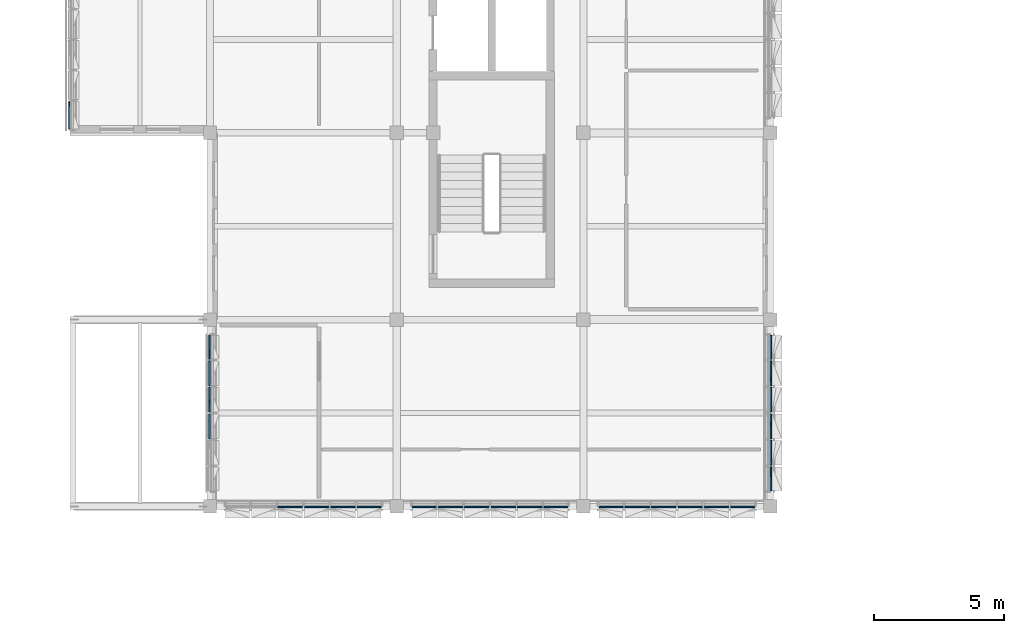
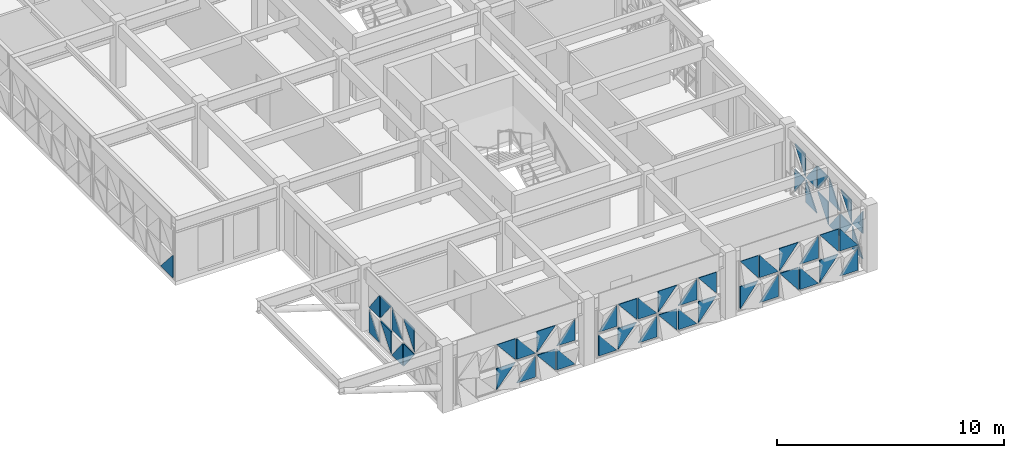
# One storey, part 19 of 48: 53 plates, 6 elements without a shape of their own.
"""IFC4 building model written with IfcOpenShell, lengths in metres."""

import ifcopenshell
import ifcopenshell.guid

model = None  # the IFC model being written
_history = None  # IfcOwnerHistory: only IFC2X3 demands one
_inside = {}  # id of a spatial element -> (the spatial element, [elements in it])
_under = {}  # id of a project, library or spatial element -> (it, [spatial elements below it])
_declared = {}  # id of a project -> (the project, [libraries it declares])
_typed = {}  # id of a type object -> (the type object, [elements of that type])
_made_of = {}  # id of a material, layer set ... -> (it, [elements and type objects made of it])


def new_model(schema):
    """Start an empty IFC model of exactly this schema.

    Asked for "IFC4X3", IfcOpenShell would pick the latest addendum, in which some entities
    have other attributes; the version numbers below select the first issue.
    IFC2X3 requires an IfcOwnerHistory on every rooted entity: one is made here for all.
    """
    global model, _history
    if schema == "IFC4X3":
        model = ifcopenshell.file(schema_version=(4, 3, 0, 0))
    else:
        model = ifcopenshell.file(schema=schema)
    _inside.clear()
    _under.clear()
    _declared.clear()
    _typed.clear()
    _made_of.clear()
    _history = None
    if model.schema == "IFC2X3":
        org = make("IfcOrganization", Name="unknown")
        user = make(
            "IfcPersonAndOrganization",
            ThePerson=make("IfcPerson", FamilyName="unknown"),
            TheOrganization=org,
        )
        app = make(
            "IfcApplication",
            ApplicationDeveloper=org,
            Version="unknown",
            ApplicationFullName="unknown",
            ApplicationIdentifier="unknown",
        )
        _history = make(
            "IfcOwnerHistory",
            OwningUser=user,
            OwningApplication=app,
            ChangeAction="ADDED",
            CreationDate=0,
        )
    return model


def make(cls, **values):
    """One entity of the class cls with the attributes given. An attribute that is None is left unset."""
    return model.create_entity(
        cls, **{name: value for name, value in values.items() if value is not None}
    )


def rooted(cls, **values):
    """An entity with a GlobalId (a new one), such as an element, a storey or a relation."""
    return make(cls, GlobalId=ifcopenshell.guid.new(), OwnerHistory=_history, **values)


def si_unit(unit_type, name, prefix=None):
    """IfcSIUnit, for example si_unit("LENGTHUNIT", "METRE", prefix="MILLI")."""
    return make("IfcSIUnit", UnitType=unit_type, Prefix=prefix, Name=name)


def assignment(units):
    """IfcUnitAssignment: the units of a project."""
    return None if units is None else make("IfcUnitAssignment", Units=units)


def point(xyz):
    """IfcCartesianPoint."""
    return None if xyz is None else make("IfcCartesianPoint", Coordinates=xyz)


def direction(xyz):
    """IfcDirection."""
    return None if xyz is None else make("IfcDirection", DirectionRatios=xyz)


def frame(location, z_axis=None, x_axis=None):
    """IfcAxis2Placement3D, a coordinate frame: its origin and axes. An axis left out is left unset."""
    return make(
        "IfcAxis2Placement3D",
        Location=point(location),
        Axis=direction(z_axis),
        RefDirection=direction(x_axis),
    )


def origin():
    """The frame at (0, 0, 0) with its axes left unset."""
    return frame((0.0, 0.0, 0.0))


def place(relative_to, where):
    """IfcLocalPlacement: puts the frame where relative to a parent placement (None: the world)."""
    return make(
        "IfcLocalPlacement", PlacementRelTo=relative_to, RelativePlacement=where
    )


def context(
    kind, dimensions, precision=None, world=None, true_north=None, identifier=None
):
    """IfcGeometricRepresentationContext, for example the 3D "Model" context."""
    return make(
        "IfcGeometricRepresentationContext",
        ContextIdentifier=identifier,
        ContextType=kind,
        CoordinateSpaceDimension=dimensions,
        Precision=precision,
        WorldCoordinateSystem=world,
        TrueNorth=true_north,
    )


def subcontext(parent, identifier, kind, view, scale=None):
    """IfcGeometricRepresentationSubContext, for example "Body" below "Model"."""
    return make(
        "IfcGeometricRepresentationSubContext",
        ContextIdentifier=identifier,
        ContextType=kind,
        ParentContext=parent,
        TargetScale=scale,
        TargetView=view,
    )


def project(units=None, contexts=None):
    """IfcProject with its units and contexts."""
    return rooted(
        "IfcProject",
        Name="project",
        RepresentationContexts=contexts,
        UnitsInContext=assignment(units),
    )


def spatial(cls, under=None, at=None, **own):
    """A site, building, storey or space (cls), placed at a placement, below another one or the project."""
    s = rooted(cls, ObjectPlacement=at, **own)
    if under is not None:
        _under.setdefault(under.id(), (under, []))[1].append(s)
    return s


def polyline(points):
    """IfcPolyline through the points."""
    return make("IfcPolyline", Points=[point(p) for p in points])


def outline(outer, holes=None, kind="AREA"):
    """IfcArbitraryClosedProfileDef: a profile drawn as a closed curve; with holes, ...WithVoids."""
    if holes is None:
        return make("IfcArbitraryClosedProfileDef", ProfileType=kind, OuterCurve=outer)
    return make(
        "IfcArbitraryProfileDefWithVoids",
        ProfileType=kind,
        OuterCurve=outer,
        InnerCurves=holes,
    )


def extrude(swept, where, along, depth):
    """IfcExtrudedAreaSolid: the profile swept, set in the frame where, extruded along a direction by depth."""
    return make(
        "IfcExtrudedAreaSolid",
        SweptArea=swept,
        Position=where,
        ExtrudedDirection=direction(along),
        Depth=depth,
    )


def shape(context_of_items, identifier, shape_type, items):
    """IfcShapeRepresentation: the items that make up one representation, for example the "Body"."""
    return make(
        "IfcShapeRepresentation",
        ContextOfItems=context_of_items,
        RepresentationIdentifier=identifier,
        RepresentationType=shape_type,
        Items=items,
    )


def material(Name=None, Category=None):
    """IfcMaterial."""
    return make("IfcMaterial", Name=Name, Category=Category)


def layer(
    of_material, thickness, ventilated=None, Name=None, Category=None, Priority=None
):
    """IfcMaterialLayer: one layer of a wall or slab, of a material (None: an air gap)."""
    return make(
        "IfcMaterialLayer",
        Material=of_material,
        LayerThickness=thickness,
        IsVentilated=ventilated,
        Name=Name,
        Category=Category,
        Priority=Priority,
    )


def layer_set(layers, Name=None):
    """IfcMaterialLayerSet."""
    return make("IfcMaterialLayerSet", MaterialLayers=layers, LayerSetName=Name)


def made_of(thing, what):
    """Note that an element or type object is made of a material, layer set ...; save() writes the relation."""
    if what is not None:
        _made_of.setdefault(what.id(), (what, []))[1].append(thing)
    return thing


def type_object(cls, material=None, **own):
    """A type object (cls), such as IfcWallType, which elements share."""
    return made_of(rooted(cls, **own), material)


def element(
    cls,
    number,
    at=None,
    inside=None,
    cuts=None,
    type_object=None,
    material=None,
    context=None,
    identifier="Body",
    shape_type=None,
    held_by="IfcProductDefinitionShape",
    body=None,
    shapes=None,
    **own,
):
    """One element of the class cls, such as IfcWall. Its Tag is "e" and its number.

    at: its placement. inside: the storey or other place that contains it. cuts: it is an
    opening in that element (IfcRelVoidsElement). A single representation is given by context,
    identifier, shape_type and body (its items); several are given by shapes. held_by: the class
    of the entity that holds the representations. save() writes the other relations.
    """
    e = rooted(cls, Tag="e%d" % number, ObjectPlacement=at, **own)
    if body is not None:
        shapes = [shape(context, identifier, shape_type, body)]
    if shapes is not None:
        e.Representation = make(held_by, Representations=shapes)
    if inside is not None:
        _inside.setdefault(inside.id(), (inside, []))[1].append(e)
    if cuts is not None:
        rooted(
            "IfcRelVoidsElement", RelatingBuildingElement=cuts, RelatedOpeningElement=e
        )
    if type_object is not None:
        _typed.setdefault(type_object.id(), (type_object, []))[1].append(e)
    return made_of(e, material)


def aggregate(whole, parts):
    """IfcRelAggregates: a whole, such as a stair, and the parts it consists of."""
    return rooted("IfcRelAggregates", RelatingObject=whole, RelatedObjects=parts)


def save(model, path):
    """Write the relations noted so far, then the file.

    IfcRelAggregates (storeys below a building ...), IfcRelContainedInSpatialStructure (elements
    in a storey), IfcRelDefinesByType, IfcRelAssociatesMaterial and IfcRelDeclares: one each for
    every whole, place, type object, material and project.
    """
    for whole, parts in _under.values():
        aggregate(whole, parts)
    for where, things in _inside.values():
        rooted(
            "IfcRelContainedInSpatialStructure",
            RelatedElements=things,
            RelatingStructure=where,
        )
    for kind, things in _typed.values():
        rooted("IfcRelDefinesByType", RelatedObjects=things, RelatingType=kind)
    for what, things in _made_of.values():
        rooted("IfcRelAssociatesMaterial", RelatedObjects=things, RelatingMaterial=what)
    for by, libraries in _declared.values():
        rooted("IfcRelDeclares", RelatingContext=by, RelatedDefinitions=libraries)
    model.write(path)


model = new_model("IFC4")

# Units and contexts
model_context = context("Model", 3, precision=1e-05, world=origin(), true_north=direction((0.0, 1.0)))
body_context = subcontext(model_context, "Body", "Model", "MODEL_VIEW")
ifc_project = project(units=[si_unit("LENGTHUNIT", "METRE"), si_unit("AREAUNIT", "SQUARE_METRE"), si_unit("VOLUMEUNIT", "CUBIC_METRE"), si_unit("PLANEANGLEUNIT", "RADIAN"), si_unit("MASSUNIT", "GRAM", prefix="KILO")], contexts=[model_context])

# Site, building, storey
site_placement = place(None, origin())
site = spatial("IfcSite", under=ifc_project, at=site_placement, CompositionType="ELEMENT")
building_placement = place(site_placement, origin())
building = spatial("IfcBuilding", under=site, at=building_placement, Name="Alvorim Cloister Faculty of Sciences", CompositionType="ELEMENT")
storey_placement = place(building_placement, frame((0.0, 0.0, 19.35009765625)))
storey = spatial("IfcBuildingStorey", under=building, at=storey_placement, Name="L05", CompositionType="ELEMENT", Elevation=19.35009765625)

# Curtain wall, plates
ifc_material_1 = material(Name="Aluminium and Low-E Glass Curtain Wall", Category="aluminium")
curtain_wall_type_1 = type_object("IfcCurtainWallType", Name="CW-TRI-6120x2850", PredefinedType="USERDEFINED", material=ifc_material_1)
curtain_wall_1_placement = place(storey_placement, origin())
curtain_wall_1 = element("IfcCurtainWall", 1, at=curtain_wall_1_placement, inside=storey, type_object=curtain_wall_type_1, Name="L05 Diagonal Cassette Curtain Wall CW-0213", ObjectType="UNITISED CURTAIN WALL", PredefinedType="USERDEFINED")
ifc_material_2 = material(Name="Double Low-E Laminated Glass", Category="glass")
ifc_layer = layer(ifc_material_2, 0.0400390625)
ifc_layer_set = layer_set([ifc_layer], Name="Double Low-E Laminated Glass")
plate_type = type_object("IfcPlateType", Name="PN-GLZ-40", PredefinedType="CURTAIN_PANEL", material=ifc_layer_set)
plate_1_placement = place(storey_placement, frame((7.175048828125, 9.8125, 0.139892578125), z_axis=(0.0, 0.0, 1.0), x_axis=(0.0, 1.0, 0.0)))
plate_1 = element("IfcPlate", 2, at=plate_1_placement, type_object=plate_type, Name="Diagonal Glazed Triangle TRI-TR", PredefinedType="CURTAIN_PANEL", context=body_context, shape_type="SweptSolid", body=[
    extrude(outline(polyline([(0.955078125, 0.001953125), (0.955078125, 1.215087890625), (0.001953125, 1.215087890625), (0.955078125, 0.001953125)])), frame((0.0, 0.02490234375, 0.0), z_axis=(0.0, -1.0, 0.0), x_axis=(1.0, 0.0, 0.0)), (0.0, 0.0, 1.0), 0.050048828125),
])
plate_2_placement = place(storey_placement, frame((7.175048828125, 9.8125, 1.494873046875), z_axis=(0.0, 0.0, 1.0), x_axis=(0.0, 1.0, 0.0)))
plate_2 = element("IfcPlate", 3, at=plate_2_placement, type_object=plate_type, Name="Diagonal Glazed Triangle TRI-TL", PredefinedType="CURTAIN_PANEL", context=body_context, shape_type="SweptSolid", body=[
    extrude(outline(polyline([(0.953125, 1.215087890625), (0.0, 1.215087890625), (0.0, 0.001953125), (0.953125, 1.215087890625)])), frame((0.0, 0.02490234375, 0.0), z_axis=(0.0, -1.0, 0.0), x_axis=(1.0, 0.0, 0.0)), (0.0, 0.0, 1.0), 0.050048828125),
])
plate_3_placement = place(storey_placement, frame((7.175048828125, 10.83251953125, 0.139892578125), z_axis=(0.0, 0.0, 1.0), x_axis=(0.0, 1.0, 0.0)))
plate_3 = element("IfcPlate", 4, at=plate_3_placement, type_object=plate_type, Name="Diagonal Glazed Triangle TRI-BL", PredefinedType="CURTAIN_PANEL", context=body_context, shape_type="SweptSolid", body=[
    extrude(outline(polyline([(0.0, 0.0), (0.953125, 0.0), (0.0, 1.213134765625), (0.0, 0.0)])), frame((0.0, 0.02490234375, 0.0), z_axis=(0.0, -1.0, 0.0), x_axis=(1.0, 0.0, 0.0)), (0.0, 0.0, 1.0), 0.050048828125),
])
plate_4_placement = place(storey_placement, frame((7.175048828125, 10.83251953125, 1.494873046875), z_axis=(0.0, 0.0, 1.0), x_axis=(0.0, 1.0, 0.0)))
plate_4 = element("IfcPlate", 5, at=plate_4_placement, type_object=plate_type, Name="Diagonal Glazed Triangle TRI-BR", PredefinedType="CURTAIN_PANEL", context=body_context, shape_type="SweptSolid", body=[
    extrude(outline(polyline([(0.001953125, 0.0), (0.955078125, 0.0), (0.955078125, 1.213134765625), (0.001953125, 0.0)])), frame((0.0, 0.02490234375, 0.0), z_axis=(0.0, -1.0, 0.0), x_axis=(1.0, 0.0, 0.0)), (0.0, 0.0, 1.0), 0.050048828125),
])
plate_5_placement = place(storey_placement, frame((7.175048828125, 11.8525390625, 0.139892578125), z_axis=(0.0, 0.0, 1.0), x_axis=(0.0, 1.0, 0.0)))
plate_5 = element("IfcPlate", 6, at=plate_5_placement, type_object=plate_type, Name="Diagonal Glazed Triangle TRI-TL", PredefinedType="CURTAIN_PANEL", context=body_context, shape_type="SweptSolid", body=[
    extrude(outline(polyline([(0.953125, 1.215087890625), (0.0, 1.215087890625), (0.0, 0.001953125), (0.953125, 1.215087890625)])), frame((0.0, 0.02490234375, 0.0), z_axis=(0.0, -1.0, 0.0), x_axis=(1.0, 0.0, 0.0)), (0.0, 0.0, 1.0), 0.050048828125),
])
plate_6_placement = place(storey_placement, frame((7.175048828125, 11.8525390625, 1.494873046875), z_axis=(0.0, 0.0, 1.0), x_axis=(0.0, 1.0, 0.0)))
plate_6 = element("IfcPlate", 7, at=plate_6_placement, type_object=plate_type, Name="Diagonal Glazed Triangle TRI-TR", PredefinedType="CURTAIN_PANEL", context=body_context, shape_type="SweptSolid", body=[
    extrude(outline(polyline([(0.955078125, 0.001953125), (0.955078125, 1.215087890625), (0.001953125, 1.215087890625), (0.955078125, 0.001953125)])), frame((0.0, 0.02490234375, 0.0), z_axis=(0.0, -1.0, 0.0), x_axis=(1.0, 0.0, 0.0)), (0.0, 0.0, 1.0), 0.050048828125),
])
plate_7_placement = place(storey_placement, frame((7.175048828125, 12.87255859375, 0.139892578125), z_axis=(0.0, 0.0, 1.0), x_axis=(0.0, 1.0, 0.0)))
plate_7 = element("IfcPlate", 8, at=plate_7_placement, type_object=plate_type, Name="Diagonal Glazed Triangle TRI-BR", PredefinedType="CURTAIN_PANEL", context=body_context, shape_type="SweptSolid", body=[
    extrude(outline(polyline([(0.001953125, 0.0), (0.922607421875, 0.0), (0.922607421875, 1.213134765625), (0.001953125, 0.0)])), frame((0.0, 0.02490234375, 0.0), z_axis=(0.0, -1.0, 0.0), x_axis=(1.0, 0.0, 0.0)), (0.0, 0.0, 1.0), 0.050048828125),
])
plate_8_placement = place(storey_placement, frame((7.175048828125, 12.87255859375, 1.494873046875), z_axis=(0.0, 0.0, 1.0), x_axis=(0.0, 1.0, 0.0)))
plate_8 = element("IfcPlate", 9, at=plate_8_placement, type_object=plate_type, Name="Diagonal Glazed Triangle TRI-BL", PredefinedType="CURTAIN_PANEL", context=body_context, shape_type="SweptSolid", body=[
    extrude(outline(polyline([(0.0, 0.0), (0.920654296875, 0.0), (0.0, 1.213134765625), (0.0, 0.0)])), frame((0.0, 0.02490234375, 0.0), z_axis=(0.0, -1.0, 0.0), x_axis=(1.0, 0.0, 0.0)), (0.0, 0.0, 1.0), 0.050048828125),
])
aggregate(curtain_wall_1, [plate_1, plate_2, plate_3, plate_4, plate_5, plate_6, plate_7, plate_8])

# Curtain wall, plate
curtain_wall_type_2 = type_object("IfcCurtainWallType", Name="CW-TRI-7040x2857", PredefinedType="USERDEFINED", material=ifc_material_1)
curtain_wall_2_placement = place(storey_placement, origin())
curtain_wall_2 = element("IfcCurtainWall", 10, at=curtain_wall_2_placement, inside=storey, type_object=curtain_wall_type_2, Name="L05 Diagonal Cassette Curtain Wall CW-0214", ObjectType="UNITISED CURTAIN WALL", PredefinedType="USERDEFINED")
plate_9_placement = place(storey_placement, frame((1.77490234375, 21.7451171875, 0.139892578125), z_axis=(0.0, 0.0, 1.0), x_axis=(0.0, 1.0, 0.0)))
plate_9 = element("IfcPlate", 11, at=plate_9_placement, type_object=plate_type, Name="Diagonal Glazed Triangle TRI-BL", PredefinedType="CURTAIN_PANEL", context=body_context, shape_type="SweptSolid", body=[
    extrude(outline(polyline([(0.0, 0.0), (1.073974609375, 0.0), (0.0, 1.216552734375), (0.0, 0.0)])), frame((0.0, 0.02490234375, 0.0), z_axis=(0.0, -1.0, 0.0), x_axis=(1.0, 0.0, 0.0)), (0.0, 0.0, 1.0), 0.050048828125),
])
aggregate(curtain_wall_2, [plate_9])

# Curtain wall, plates
curtain_wall_3_placement = place(storey_placement, origin())
curtain_wall_3 = element("IfcCurtainWall", 12, at=curtain_wall_3_placement, inside=storey, type_object=curtain_wall_type_1, Name="L05 Diagonal Cassette Curtain Wall CW-0236", ObjectType="UNITISED CURTAIN WALL", PredefinedType="USERDEFINED")
plate_10_placement = place(storey_placement, frame((28.824951171875, 7.804931640625, 0.139892578125), z_axis=(0.0, 0.0, 1.0), x_axis=(0.0, 1.0, 0.0)))
plate_10 = element("IfcPlate", 13, at=plate_10_placement, type_object=plate_type, Name="Diagonal Glazed Triangle TRI-BR", PredefinedType="CURTAIN_PANEL", context=body_context, shape_type="SweptSolid", body=[
    extrude(outline(polyline([(0.001953125, 0.0), (0.922607421875, 0.0), (0.922607421875, 1.213134765625), (0.001953125, 0.0)])), frame((0.0, 0.02490234375, 0.0), z_axis=(0.0, -1.0, 0.0), x_axis=(1.0, 0.0, 0.0)), (0.0, 0.0, 1.0), 0.050048828125),
])
plate_11_placement = place(storey_placement, frame((28.824951171875, 7.804931640625, 1.494873046875), z_axis=(0.0, 0.0, 1.0), x_axis=(0.0, 1.0, 0.0)))
plate_11 = element("IfcPlate", 14, at=plate_11_placement, type_object=plate_type, Name="Diagonal Glazed Triangle TRI-BL", PredefinedType="CURTAIN_PANEL", context=body_context, shape_type="SweptSolid", body=[
    extrude(outline(polyline([(0.0, 0.0), (0.920654296875, 0.0), (0.0, 1.213134765625), (0.0, 0.0)])), frame((0.0, 0.02490234375, 0.0), z_axis=(0.0, -1.0, 0.0), x_axis=(1.0, 0.0, 0.0)), (0.0, 0.0, 1.0), 0.050048828125),
])
plate_12_placement = place(storey_placement, frame((28.824951171875, 8.79248046875, 0.139892578125), z_axis=(0.0, 0.0, 1.0), x_axis=(0.0, 1.0, 0.0)))
plate_12 = element("IfcPlate", 15, at=plate_12_placement, type_object=plate_type, Name="Diagonal Glazed Triangle TRI-TR", PredefinedType="CURTAIN_PANEL", context=body_context, shape_type="SweptSolid", body=[
    extrude(outline(polyline([(0.955078125, 0.001953125), (0.955078125, 1.215087890625), (0.001953125, 1.215087890625), (0.955078125, 0.001953125)])), frame((0.0, 0.02490234375, 0.0), z_axis=(0.0, -1.0, 0.0), x_axis=(1.0, 0.0, 0.0)), (0.0, 0.0, 1.0), 0.050048828125),
])
plate_13_placement = place(storey_placement, frame((28.824951171875, 8.79248046875, 1.494873046875), z_axis=(0.0, 0.0, 1.0), x_axis=(0.0, 1.0, 0.0)))
plate_13 = element("IfcPlate", 16, at=plate_13_placement, type_object=plate_type, Name="Diagonal Glazed Triangle TRI-TL", PredefinedType="CURTAIN_PANEL", context=body_context, shape_type="SweptSolid", body=[
    extrude(outline(polyline([(0.953125, 1.215087890625), (0.0, 1.215087890625), (0.0, 0.001953125), (0.953125, 1.215087890625)])), frame((0.0, 0.02490234375, 0.0), z_axis=(0.0, -1.0, 0.0), x_axis=(1.0, 0.0, 0.0)), (0.0, 0.0, 1.0), 0.050048828125),
])
plate_14_placement = place(storey_placement, frame((28.824951171875, 9.8125, 0.139892578125), z_axis=(0.0, 0.0, 1.0), x_axis=(0.0, 1.0, 0.0)))
plate_14 = element("IfcPlate", 17, at=plate_14_placement, type_object=plate_type, Name="Diagonal Glazed Triangle TRI-BL", PredefinedType="CURTAIN_PANEL", context=body_context, shape_type="SweptSolid", body=[
    extrude(outline(polyline([(0.0, 0.0), (0.953125, 0.0), (0.0, 1.213134765625), (0.0, 0.0)])), frame((0.0, 0.02490234375, 0.0), z_axis=(0.0, -1.0, 0.0), x_axis=(1.0, 0.0, 0.0)), (0.0, 0.0, 1.0), 0.050048828125),
])
plate_15_placement = place(storey_placement, frame((28.824951171875, 9.8125, 1.494873046875), z_axis=(0.0, 0.0, 1.0), x_axis=(0.0, 1.0, 0.0)))
plate_15 = element("IfcPlate", 18, at=plate_15_placement, type_object=plate_type, Name="Diagonal Glazed Triangle TRI-BR", PredefinedType="CURTAIN_PANEL", context=body_context, shape_type="SweptSolid", body=[
    extrude(outline(polyline([(0.001953125, 0.0), (0.955078125, 0.0), (0.955078125, 1.213134765625), (0.001953125, 0.0)])), frame((0.0, 0.02490234375, 0.0), z_axis=(0.0, -1.0, 0.0), x_axis=(1.0, 0.0, 0.0)), (0.0, 0.0, 1.0), 0.050048828125),
])
plate_16_placement = place(storey_placement, frame((28.824951171875, 10.83251953125, 0.139892578125), z_axis=(0.0, 0.0, 1.0), x_axis=(0.0, 1.0, 0.0)))
plate_16 = element("IfcPlate", 19, at=plate_16_placement, type_object=plate_type, Name="Diagonal Glazed Triangle TRI-TL", PredefinedType="CURTAIN_PANEL", context=body_context, shape_type="SweptSolid", body=[
    extrude(outline(polyline([(0.953125, 1.215087890625), (0.0, 1.215087890625), (0.0, 0.001953125), (0.953125, 1.215087890625)])), frame((0.0, 0.02490234375, 0.0), z_axis=(0.0, -1.0, 0.0), x_axis=(1.0, 0.0, 0.0)), (0.0, 0.0, 1.0), 0.050048828125),
])
plate_17_placement = place(storey_placement, frame((28.824951171875, 10.83251953125, 1.494873046875), z_axis=(0.0, 0.0, 1.0), x_axis=(0.0, 1.0, 0.0)))
plate_17 = element("IfcPlate", 20, at=plate_17_placement, type_object=plate_type, Name="Diagonal Glazed Triangle TRI-TR", PredefinedType="CURTAIN_PANEL", context=body_context, shape_type="SweptSolid", body=[
    extrude(outline(polyline([(0.955078125, 0.001953125), (0.955078125, 1.215087890625), (0.001953125, 1.215087890625), (0.955078125, 0.001953125)])), frame((0.0, 0.02490234375, 0.0), z_axis=(0.0, -1.0, 0.0), x_axis=(1.0, 0.0, 0.0)), (0.0, 0.0, 1.0), 0.050048828125),
])
plate_18_placement = place(storey_placement, frame((28.824951171875, 11.8525390625, 0.139892578125), z_axis=(0.0, 0.0, 1.0), x_axis=(0.0, 1.0, 0.0)))
plate_18 = element("IfcPlate", 21, at=plate_18_placement, type_object=plate_type, Name="Diagonal Glazed Triangle TRI-BR", PredefinedType="CURTAIN_PANEL", context=body_context, shape_type="SweptSolid", body=[
    extrude(outline(polyline([(0.001953125, 0.0), (0.955078125, 0.0), (0.955078125, 1.213134765625), (0.001953125, 0.0)])), frame((0.0, 0.02490234375, 0.0), z_axis=(0.0, -1.0, 0.0), x_axis=(1.0, 0.0, 0.0)), (0.0, 0.0, 1.0), 0.050048828125),
])
plate_19_placement = place(storey_placement, frame((28.824951171875, 11.8525390625, 1.494873046875), z_axis=(0.0, 0.0, 1.0), x_axis=(0.0, 1.0, 0.0)))
plate_19 = element("IfcPlate", 22, at=plate_19_placement, type_object=plate_type, Name="Diagonal Glazed Triangle TRI-BL", PredefinedType="CURTAIN_PANEL", context=body_context, shape_type="SweptSolid", body=[
    extrude(outline(polyline([(0.0, 0.0), (0.953125, 0.0), (0.0, 1.213134765625), (0.0, 0.0)])), frame((0.0, 0.02490234375, 0.0), z_axis=(0.0, -1.0, 0.0), x_axis=(1.0, 0.0, 0.0)), (0.0, 0.0, 1.0), 0.050048828125),
])
plate_20_placement = place(storey_placement, frame((28.824951171875, 12.87255859375, 0.139892578125), z_axis=(0.0, 0.0, 1.0), x_axis=(0.0, 1.0, 0.0)))
plate_20 = element("IfcPlate", 23, at=plate_20_placement, type_object=plate_type, Name="Diagonal Glazed Triangle TRI-TR", PredefinedType="CURTAIN_PANEL", context=body_context, shape_type="SweptSolid", body=[
    extrude(outline(polyline([(0.922607421875, 0.001953125), (0.922607421875, 1.215087890625), (0.001953125, 1.215087890625), (0.922607421875, 0.001953125)])), frame((0.0, 0.02490234375, 0.0), z_axis=(0.0, -1.0, 0.0), x_axis=(1.0, 0.0, 0.0)), (0.0, 0.0, 1.0), 0.050048828125),
])
plate_21_placement = place(storey_placement, frame((28.824951171875, 12.87255859375, 1.494873046875), z_axis=(0.0, 0.0, 1.0), x_axis=(0.0, 1.0, 0.0)))
plate_21 = element("IfcPlate", 24, at=plate_21_placement, type_object=plate_type, Name="Diagonal Glazed Triangle TRI-TL", PredefinedType="CURTAIN_PANEL", context=body_context, shape_type="SweptSolid", body=[
    extrude(outline(polyline([(0.920654296875, 1.215087890625), (0.0, 1.215087890625), (0.0, 0.001953125), (0.920654296875, 1.215087890625)])), frame((0.0, 0.02490234375, 0.0), z_axis=(0.0, -1.0, 0.0), x_axis=(1.0, 0.0, 0.0)), (0.0, 0.0, 1.0), 0.050048828125),
])
aggregate(curtain_wall_3, [plate_10, plate_11, plate_12, plate_13, plate_14, plate_15, plate_16, plate_17, plate_18, plate_19, plate_20, plate_21])

curtain_wall_4_placement = place(storey_placement, origin())
curtain_wall_4 = element("IfcCurtainWall", 25, at=curtain_wall_4_placement, inside=storey, type_object=curtain_wall_type_1, Name="L05 Diagonal Cassette Curtain Wall CW-0237", ObjectType="UNITISED CURTAIN WALL", PredefinedType="USERDEFINED")
plate_22_placement = place(storey_placement, frame((22.205078125, 7.175048828125, 0.139892578125), z_axis=(0.0, 0.0, 1.0), x_axis=(1.0, 0.0, 0.0)))
plate_22 = element("IfcPlate", 26, at=plate_22_placement, type_object=plate_type, Name="Diagonal Glazed Triangle TRI-TL", PredefinedType="CURTAIN_PANEL", context=body_context, shape_type="SweptSolid", body=[
    extrude(outline(polyline([(0.920654296875, 1.215087890625), (0.0, 1.215087890625), (0.0, 0.001953125), (0.920654296875, 1.215087890625)])), frame((0.0, 0.02490234375, 0.0), z_axis=(0.0, -1.0, 0.0), x_axis=(1.0, 0.0, 0.0)), (0.0, 0.0, 1.0), 0.050048828125),
])
plate_23_placement = place(storey_placement, frame((22.205078125, 7.175048828125, 1.494873046875), z_axis=(0.0, 0.0, 1.0), x_axis=(1.0, 0.0, 0.0)))
plate_23 = element("IfcPlate", 27, at=plate_23_placement, type_object=plate_type, Name="Diagonal Glazed Triangle TRI-TR", PredefinedType="CURTAIN_PANEL", context=body_context, shape_type="SweptSolid", body=[
    extrude(outline(polyline([(0.922607421875, 0.001953125), (0.922607421875, 1.215087890625), (0.001953125, 1.215087890625), (0.922607421875, 0.001953125)])), frame((0.0, 0.02490234375, 0.0), z_axis=(0.0, -1.0, 0.0), x_axis=(1.0, 0.0, 0.0)), (0.0, 0.0, 1.0), 0.050048828125),
])
plate_24_placement = place(storey_placement, frame((23.1923828125, 7.175048828125, 0.139892578125), z_axis=(0.0, 0.0, 1.0), x_axis=(1.0, 0.0, 0.0)))
plate_24 = element("IfcPlate", 28, at=plate_24_placement, type_object=plate_type, Name="Diagonal Glazed Triangle TRI-BR", PredefinedType="CURTAIN_PANEL", context=body_context, shape_type="SweptSolid", body=[
    extrude(outline(polyline([(0.001953125, 0.0), (0.955078125, 0.0), (0.955078125, 1.213134765625), (0.001953125, 0.0)])), frame((0.0, 0.02490234375, 0.0), z_axis=(0.0, -1.0, 0.0), x_axis=(1.0, 0.0, 0.0)), (0.0, 0.0, 1.0), 0.050048828125),
])
plate_25_placement = place(storey_placement, frame((23.1923828125, 7.175048828125, 1.494873046875), z_axis=(0.0, 0.0, 1.0), x_axis=(1.0, 0.0, 0.0)))
plate_25 = element("IfcPlate", 29, at=plate_25_placement, type_object=plate_type, Name="Diagonal Glazed Triangle TRI-BL", PredefinedType="CURTAIN_PANEL", context=body_context, shape_type="SweptSolid", body=[
    extrude(outline(polyline([(0.0, 0.0), (0.953125, 0.0), (0.0, 1.213134765625), (0.0, 0.0)])), frame((0.0, 0.02490234375, 0.0), z_axis=(0.0, -1.0, 0.0), x_axis=(1.0, 0.0, 0.0)), (0.0, 0.0, 1.0), 0.050048828125),
])
plate_26_placement = place(storey_placement, frame((24.21240234375, 7.175048828125, 0.139892578125), z_axis=(0.0, 0.0, 1.0), x_axis=(1.0, 0.0, 0.0)))
plate_26 = element("IfcPlate", 30, at=plate_26_placement, type_object=plate_type, Name="Diagonal Glazed Triangle TRI-TR", PredefinedType="CURTAIN_PANEL", context=body_context, shape_type="SweptSolid", body=[
    extrude(outline(polyline([(0.955078125, 0.001953125), (0.955078125, 1.215087890625), (0.001953125, 1.215087890625), (0.955078125, 0.001953125)])), frame((0.0, 0.02490234375, 0.0), z_axis=(0.0, -1.0, 0.0), x_axis=(1.0, 0.0, 0.0)), (0.0, 0.0, 1.0), 0.050048828125),
])
plate_27_placement = place(storey_placement, frame((24.21240234375, 7.175048828125, 1.494873046875), z_axis=(0.0, 0.0, 1.0), x_axis=(1.0, 0.0, 0.0)))
plate_27 = element("IfcPlate", 31, at=plate_27_placement, type_object=plate_type, Name="Diagonal Glazed Triangle TRI-TL", PredefinedType="CURTAIN_PANEL", context=body_context, shape_type="SweptSolid", body=[
    extrude(outline(polyline([(0.953125, 1.215087890625), (0.0, 1.215087890625), (0.0, 0.001953125), (0.953125, 1.215087890625)])), frame((0.0, 0.02490234375, 0.0), z_axis=(0.0, -1.0, 0.0), x_axis=(1.0, 0.0, 0.0)), (0.0, 0.0, 1.0), 0.050048828125),
])
plate_28_placement = place(storey_placement, frame((25.232421875, 7.175048828125, 0.139892578125), z_axis=(0.0, 0.0, 1.0), x_axis=(1.0, 0.0, 0.0)))
plate_28 = element("IfcPlate", 32, at=plate_28_placement, type_object=plate_type, Name="Diagonal Glazed Triangle TRI-BL", PredefinedType="CURTAIN_PANEL", context=body_context, shape_type="SweptSolid", body=[
    extrude(outline(polyline([(0.0, 0.0), (0.953125, 0.0), (0.0, 1.213134765625), (0.0, 0.0)])), frame((0.0, 0.02490234375, 0.0), z_axis=(0.0, -1.0, 0.0), x_axis=(1.0, 0.0, 0.0)), (0.0, 0.0, 1.0), 0.050048828125),
])
plate_29_placement = place(storey_placement, frame((25.232421875, 7.175048828125, 1.494873046875), z_axis=(0.0, 0.0, 1.0), x_axis=(1.0, 0.0, 0.0)))
plate_29 = element("IfcPlate", 33, at=plate_29_placement, type_object=plate_type, Name="Diagonal Glazed Triangle TRI-BR", PredefinedType="CURTAIN_PANEL", context=body_context, shape_type="SweptSolid", body=[
    extrude(outline(polyline([(0.001953125, 0.0), (0.955078125, 0.0), (0.955078125, 1.213134765625), (0.001953125, 0.0)])), frame((0.0, 0.02490234375, 0.0), z_axis=(0.0, -1.0, 0.0), x_axis=(1.0, 0.0, 0.0)), (0.0, 0.0, 1.0), 0.050048828125),
])
plate_30_placement = place(storey_placement, frame((26.25244140625, 7.175048828125, 0.139892578125), z_axis=(0.0, 0.0, 1.0), x_axis=(1.0, 0.0, 0.0)))
plate_30 = element("IfcPlate", 34, at=plate_30_placement, type_object=plate_type, Name="Diagonal Glazed Triangle TRI-TL", PredefinedType="CURTAIN_PANEL", context=body_context, shape_type="SweptSolid", body=[
    extrude(outline(polyline([(0.953125, 1.215087890625), (0.0, 1.215087890625), (0.0, 0.001953125), (0.953125, 1.215087890625)])), frame((0.0, 0.02490234375, 0.0), z_axis=(0.0, -1.0, 0.0), x_axis=(1.0, 0.0, 0.0)), (0.0, 0.0, 1.0), 0.050048828125),
])
plate_31_placement = place(storey_placement, frame((26.25244140625, 7.175048828125, 1.494873046875), z_axis=(0.0, 0.0, 1.0), x_axis=(1.0, 0.0, 0.0)))
plate_31 = element("IfcPlate", 35, at=plate_31_placement, type_object=plate_type, Name="Diagonal Glazed Triangle TRI-TR", PredefinedType="CURTAIN_PANEL", context=body_context, shape_type="SweptSolid", body=[
    extrude(outline(polyline([(0.955078125, 0.001953125), (0.955078125, 1.215087890625), (0.001953125, 1.215087890625), (0.955078125, 0.001953125)])), frame((0.0, 0.02490234375, 0.0), z_axis=(0.0, -1.0, 0.0), x_axis=(1.0, 0.0, 0.0)), (0.0, 0.0, 1.0), 0.050048828125),
])
plate_32_placement = place(storey_placement, frame((27.2724609375, 7.175048828125, 0.139892578125), z_axis=(0.0, 0.0, 1.0), x_axis=(1.0, 0.0, 0.0)))
plate_32 = element("IfcPlate", 36, at=plate_32_placement, type_object=plate_type, Name="Diagonal Glazed Triangle TRI-BR", PredefinedType="CURTAIN_PANEL", context=body_context, shape_type="SweptSolid", body=[
    extrude(outline(polyline([(0.001953125, 0.0), (0.922607421875, 0.0), (0.922607421875, 1.213134765625), (0.001953125, 0.0)])), frame((0.0, 0.02490234375, 0.0), z_axis=(0.0, -1.0, 0.0), x_axis=(1.0, 0.0, 0.0)), (0.0, 0.0, 1.0), 0.050048828125),
])
plate_33_placement = place(storey_placement, frame((27.2724609375, 7.175048828125, 1.494873046875), z_axis=(0.0, 0.0, 1.0), x_axis=(1.0, 0.0, 0.0)))
plate_33 = element("IfcPlate", 37, at=plate_33_placement, type_object=plate_type, Name="Diagonal Glazed Triangle TRI-BL", PredefinedType="CURTAIN_PANEL", context=body_context, shape_type="SweptSolid", body=[
    extrude(outline(polyline([(0.0, 0.0), (0.920654296875, 0.0), (0.0, 1.213134765625), (0.0, 0.0)])), frame((0.0, 0.02490234375, 0.0), z_axis=(0.0, -1.0, 0.0), x_axis=(1.0, 0.0, 0.0)), (0.0, 0.0, 1.0), 0.050048828125),
])
aggregate(curtain_wall_4, [plate_22, plate_23, plate_24, plate_25, plate_26, plate_27, plate_28, plate_29, plate_30, plate_31, plate_32, plate_33])

curtain_wall_type_3 = type_object("IfcCurtainWallType", Name="CW-TRI-6120x2706", PredefinedType="USERDEFINED", material=ifc_material_1)
curtain_wall_5_placement = place(storey_placement, origin())
curtain_wall_5 = element("IfcCurtainWall", 38, at=curtain_wall_5_placement, inside=storey, type_object=curtain_wall_type_3, Name="L05 Diagonal Cassette Curtain Wall CW-0238", ObjectType="UNITISED CURTAIN WALL", PredefinedType="USERDEFINED")
plate_34_placement = place(storey_placement, frame((15.0048828125, 7.175048828125, 0.139892578125), z_axis=(0.0, 0.0, 1.0), x_axis=(1.0, 0.0, 0.0)))
plate_34 = element("IfcPlate", 39, at=plate_34_placement, type_object=plate_type, Name="Diagonal Glazed Triangle TRI-BL", PredefinedType="CURTAIN_PANEL", context=body_context, shape_type="SweptSolid", body=[
    extrude(outline(polyline([(0.0, 0.0), (0.920654296875, 0.0), (0.0, 1.14111328125), (0.0, 0.0)])), frame((0.0, 0.02490234375, 0.0), z_axis=(0.0, -1.0, 0.0), x_axis=(1.0, 0.0, 0.0)), (0.0, 0.0, 1.0), 0.050048828125),
])
plate_35_placement = place(storey_placement, frame((15.0048828125, 7.175048828125, 1.4228515625), z_axis=(0.0, 0.0, 1.0), x_axis=(1.0, 0.0, 0.0)))
plate_35 = element("IfcPlate", 40, at=plate_35_placement, type_object=plate_type, Name="Diagonal Glazed Triangle TRI-BR", PredefinedType="CURTAIN_PANEL", context=body_context, shape_type="SweptSolid", body=[
    extrude(outline(polyline([(0.001953125, 0.0), (0.922607421875, 0.0), (0.922607421875, 1.14111328125), (0.001953125, 0.0)])), frame((0.0, 0.02490234375, 0.0), z_axis=(0.0, -1.0, 0.0), x_axis=(1.0, 0.0, 0.0)), (0.0, 0.0, 1.0), 0.050048828125),
])
plate_36_placement = place(storey_placement, frame((15.992431640625, 7.175048828125, 0.139892578125), z_axis=(0.0, 0.0, 1.0), x_axis=(1.0, 0.0, 0.0)))
plate_36 = element("IfcPlate", 41, at=plate_36_placement, type_object=plate_type, Name="Diagonal Glazed Triangle TRI-TL", PredefinedType="CURTAIN_PANEL", context=body_context, shape_type="SweptSolid", body=[
    extrude(outline(polyline([(0.953125, 1.14306640625), (0.0, 1.14306640625), (0.0, 0.001953125), (0.953125, 1.14306640625)])), frame((0.0, 0.02490234375, 0.0), z_axis=(0.0, -1.0, 0.0), x_axis=(1.0, 0.0, 0.0)), (0.0, 0.0, 1.0), 0.050048828125),
])
plate_37_placement = place(storey_placement, frame((15.992431640625, 7.175048828125, 1.4228515625), z_axis=(0.0, 0.0, 1.0), x_axis=(1.0, 0.0, 0.0)))
plate_37 = element("IfcPlate", 42, at=plate_37_placement, type_object=plate_type, Name="Diagonal Glazed Triangle TRI-TR", PredefinedType="CURTAIN_PANEL", context=body_context, shape_type="SweptSolid", body=[
    extrude(outline(polyline([(0.955078125, 0.001953125), (0.955078125, 1.14306640625), (0.001953125, 1.14306640625), (0.955078125, 0.001953125)])), frame((0.0, 0.02490234375, 0.0), z_axis=(0.0, -1.0, 0.0), x_axis=(1.0, 0.0, 0.0)), (0.0, 0.0, 1.0), 0.050048828125),
])
plate_38_placement = place(storey_placement, frame((17.012451171875, 7.175048828125, 0.139892578125), z_axis=(0.0, 0.0, 1.0), x_axis=(1.0, 0.0, 0.0)))
plate_38 = element("IfcPlate", 43, at=plate_38_placement, type_object=plate_type, Name="Diagonal Glazed Triangle TRI-BR", PredefinedType="CURTAIN_PANEL", context=body_context, shape_type="SweptSolid", body=[
    extrude(outline(polyline([(0.001953125, 0.0), (0.955078125, 0.0), (0.955078125, 1.14111328125), (0.001953125, 0.0)])), frame((0.0, 0.02490234375, 0.0), z_axis=(0.0, -1.0, 0.0), x_axis=(1.0, 0.0, 0.0)), (0.0, 0.0, 1.0), 0.050048828125),
])
plate_39_placement = place(storey_placement, frame((17.012451171875, 7.175048828125, 1.4228515625), z_axis=(0.0, 0.0, 1.0), x_axis=(1.0, 0.0, 0.0)))
plate_39 = element("IfcPlate", 44, at=plate_39_placement, type_object=plate_type, Name="Diagonal Glazed Triangle TRI-BL", PredefinedType="CURTAIN_PANEL", context=body_context, shape_type="SweptSolid", body=[
    extrude(outline(polyline([(0.0, 0.0), (0.953125, 0.0), (0.0, 1.14111328125), (0.0, 0.0)])), frame((0.0, 0.02490234375, 0.0), z_axis=(0.0, -1.0, 0.0), x_axis=(1.0, 0.0, 0.0)), (0.0, 0.0, 1.0), 0.050048828125),
])
plate_40_placement = place(storey_placement, frame((18.032470703125, 7.175048828125, 0.139892578125), z_axis=(0.0, 0.0, 1.0), x_axis=(1.0, 0.0, 0.0)))
plate_40 = element("IfcPlate", 45, at=plate_40_placement, type_object=plate_type, Name="Diagonal Glazed Triangle TRI-TR", PredefinedType="CURTAIN_PANEL", context=body_context, shape_type="SweptSolid", body=[
    extrude(outline(polyline([(0.955078125, 0.001953125), (0.955078125, 1.14306640625), (0.001953125, 1.14306640625), (0.955078125, 0.001953125)])), frame((0.0, 0.02490234375, 0.0), z_axis=(0.0, -1.0, 0.0), x_axis=(1.0, 0.0, 0.0)), (0.0, 0.0, 1.0), 0.050048828125),
])
plate_41_placement = place(storey_placement, frame((18.032470703125, 7.175048828125, 1.4228515625), z_axis=(0.0, 0.0, 1.0), x_axis=(1.0, 0.0, 0.0)))
plate_41 = element("IfcPlate", 46, at=plate_41_placement, type_object=plate_type, Name="Diagonal Glazed Triangle TRI-TL", PredefinedType="CURTAIN_PANEL", context=body_context, shape_type="SweptSolid", body=[
    extrude(outline(polyline([(0.953125, 1.14306640625), (0.0, 1.14306640625), (0.0, 0.001953125), (0.953125, 1.14306640625)])), frame((0.0, 0.02490234375, 0.0), z_axis=(0.0, -1.0, 0.0), x_axis=(1.0, 0.0, 0.0)), (0.0, 0.0, 1.0), 0.050048828125),
])
plate_42_placement = place(storey_placement, frame((19.052490234375, 7.175048828125, 0.139892578125), z_axis=(0.0, 0.0, 1.0), x_axis=(1.0, 0.0, 0.0)))
plate_42 = element("IfcPlate", 47, at=plate_42_placement, type_object=plate_type, Name="Diagonal Glazed Triangle TRI-BL", PredefinedType="CURTAIN_PANEL", context=body_context, shape_type="SweptSolid", body=[
    extrude(outline(polyline([(0.0, 0.0), (0.953125, 0.0), (0.0, 1.14111328125), (0.0, 0.0)])), frame((0.0, 0.02490234375, 0.0), z_axis=(0.0, -1.0, 0.0), x_axis=(1.0, 0.0, 0.0)), (0.0, 0.0, 1.0), 0.050048828125),
])
plate_43_placement = place(storey_placement, frame((19.052490234375, 7.175048828125, 1.4228515625), z_axis=(0.0, 0.0, 1.0), x_axis=(1.0, 0.0, 0.0)))
plate_43 = element("IfcPlate", 48, at=plate_43_placement, type_object=plate_type, Name="Diagonal Glazed Triangle TRI-BR", PredefinedType="CURTAIN_PANEL", context=body_context, shape_type="SweptSolid", body=[
    extrude(outline(polyline([(0.001953125, 0.0), (0.955078125, 0.0), (0.955078125, 1.14111328125), (0.001953125, 0.0)])), frame((0.0, 0.02490234375, 0.0), z_axis=(0.0, -1.0, 0.0), x_axis=(1.0, 0.0, 0.0)), (0.0, 0.0, 1.0), 0.050048828125),
])
plate_44_placement = place(storey_placement, frame((20.072509765625, 7.175048828125, 0.139892578125), z_axis=(0.0, 0.0, 1.0), x_axis=(1.0, 0.0, 0.0)))
plate_44 = element("IfcPlate", 49, at=plate_44_placement, type_object=plate_type, Name="Diagonal Glazed Triangle TRI-TL", PredefinedType="CURTAIN_PANEL", context=body_context, shape_type="SweptSolid", body=[
    extrude(outline(polyline([(0.920654296875, 1.14306640625), (0.0, 1.14306640625), (0.0, 0.001953125), (0.920654296875, 1.14306640625)])), frame((0.0, 0.02490234375, 0.0), z_axis=(0.0, -1.0, 0.0), x_axis=(1.0, 0.0, 0.0)), (0.0, 0.0, 1.0), 0.050048828125),
])
plate_45_placement = place(storey_placement, frame((20.072509765625, 7.175048828125, 1.4228515625), z_axis=(0.0, 0.0, 1.0), x_axis=(1.0, 0.0, 0.0)))
plate_45 = element("IfcPlate", 50, at=plate_45_placement, type_object=plate_type, Name="Diagonal Glazed Triangle TRI-TR", PredefinedType="CURTAIN_PANEL", context=body_context, shape_type="SweptSolid", body=[
    extrude(outline(polyline([(0.922607421875, 0.001953125), (0.922607421875, 1.14306640625), (0.001953125, 1.14306640625), (0.922607421875, 0.001953125)])), frame((0.0, 0.02490234375, 0.0), z_axis=(0.0, -1.0, 0.0), x_axis=(1.0, 0.0, 0.0)), (0.0, 0.0, 1.0), 0.050048828125),
])
aggregate(curtain_wall_5, [plate_34, plate_35, plate_36, plate_37, plate_38, plate_39, plate_40, plate_41, plate_42, plate_43, plate_44, plate_45])

curtain_wall_6_placement = place(storey_placement, origin())
curtain_wall_6 = element("IfcCurtainWall", 51, at=curtain_wall_6_placement, inside=storey, type_object=curtain_wall_type_3, Name="L05 Diagonal Cassette Curtain Wall CW-0239", ObjectType="UNITISED CURTAIN WALL", PredefinedType="USERDEFINED")
plate_46_placement = place(storey_placement, frame((9.8125, 7.175048828125, 0.139892578125), z_axis=(0.0, 0.0, 1.0), x_axis=(1.0, 0.0, 0.0)))
plate_46 = element("IfcPlate", 52, at=plate_46_placement, type_object=plate_type, Name="Diagonal Glazed Triangle TRI-TL", PredefinedType="CURTAIN_PANEL", context=body_context, shape_type="SweptSolid", body=[
    extrude(outline(polyline([(0.953125, 1.14306640625), (0.0, 1.14306640625), (0.0, 0.001953125), (0.953125, 1.14306640625)])), frame((0.0, 0.02490234375, 0.0), z_axis=(0.0, -1.0, 0.0), x_axis=(1.0, 0.0, 0.0)), (0.0, 0.0, 1.0), 0.050048828125),
])
plate_47_placement = place(storey_placement, frame((9.8125, 7.175048828125, 1.4228515625), z_axis=(0.0, 0.0, 1.0), x_axis=(1.0, 0.0, 0.0)))
plate_47 = element("IfcPlate", 53, at=plate_47_placement, type_object=plate_type, Name="Diagonal Glazed Triangle TRI-TR", PredefinedType="CURTAIN_PANEL", context=body_context, shape_type="SweptSolid", body=[
    extrude(outline(polyline([(0.955078125, 0.001953125), (0.955078125, 1.14306640625), (0.001953125, 1.14306640625), (0.955078125, 0.001953125)])), frame((0.0, 0.02490234375, 0.0), z_axis=(0.0, -1.0, 0.0), x_axis=(1.0, 0.0, 0.0)), (0.0, 0.0, 1.0), 0.050048828125),
])
plate_48_placement = place(storey_placement, frame((10.83251953125, 7.175048828125, 0.139892578125), z_axis=(0.0, 0.0, 1.0), x_axis=(1.0, 0.0, 0.0)))
plate_48 = element("IfcPlate", 54, at=plate_48_placement, type_object=plate_type, Name="Diagonal Glazed Triangle TRI-BR", PredefinedType="CURTAIN_PANEL", context=body_context, shape_type="SweptSolid", body=[
    extrude(outline(polyline([(0.001953125, 0.0), (0.955078125, 0.0), (0.955078125, 1.14111328125), (0.001953125, 0.0)])), frame((0.0, 0.02490234375, 0.0), z_axis=(0.0, -1.0, 0.0), x_axis=(1.0, 0.0, 0.0)), (0.0, 0.0, 1.0), 0.050048828125),
])
plate_49_placement = place(storey_placement, frame((10.83251953125, 7.175048828125, 1.4228515625), z_axis=(0.0, 0.0, 1.0), x_axis=(1.0, 0.0, 0.0)))
plate_49 = element("IfcPlate", 55, at=plate_49_placement, type_object=plate_type, Name="Diagonal Glazed Triangle TRI-BL", PredefinedType="CURTAIN_PANEL", context=body_context, shape_type="SweptSolid", body=[
    extrude(outline(polyline([(0.0, 0.0), (0.953125, 0.0), (0.0, 1.14111328125), (0.0, 0.0)])), frame((0.0, 0.02490234375, 0.0), z_axis=(0.0, -1.0, 0.0), x_axis=(1.0, 0.0, 0.0)), (0.0, 0.0, 1.0), 0.050048828125),
])
plate_50_placement = place(storey_placement, frame((11.8525390625, 7.175048828125, 0.139892578125), z_axis=(0.0, 0.0, 1.0), x_axis=(1.0, 0.0, 0.0)))
plate_50 = element("IfcPlate", 56, at=plate_50_placement, type_object=plate_type, Name="Diagonal Glazed Triangle TRI-TR", PredefinedType="CURTAIN_PANEL", context=body_context, shape_type="SweptSolid", body=[
    extrude(outline(polyline([(0.955078125, 0.001953125), (0.955078125, 1.14306640625), (0.001953125, 1.14306640625), (0.955078125, 0.001953125)])), frame((0.0, 0.02490234375, 0.0), z_axis=(0.0, -1.0, 0.0), x_axis=(1.0, 0.0, 0.0)), (0.0, 0.0, 1.0), 0.050048828125),
])
plate_51_placement = place(storey_placement, frame((11.8525390625, 7.175048828125, 1.4228515625), z_axis=(0.0, 0.0, 1.0), x_axis=(1.0, 0.0, 0.0)))
plate_51 = element("IfcPlate", 57, at=plate_51_placement, type_object=plate_type, Name="Diagonal Glazed Triangle TRI-TL", PredefinedType="CURTAIN_PANEL", context=body_context, shape_type="SweptSolid", body=[
    extrude(outline(polyline([(0.953125, 1.14306640625), (0.0, 1.14306640625), (0.0, 0.001953125), (0.953125, 1.14306640625)])), frame((0.0, 0.02490234375, 0.0), z_axis=(0.0, -1.0, 0.0), x_axis=(1.0, 0.0, 0.0)), (0.0, 0.0, 1.0), 0.050048828125),
])
plate_52_placement = place(storey_placement, frame((12.87255859375, 7.175048828125, 0.139892578125), z_axis=(0.0, 0.0, 1.0), x_axis=(1.0, 0.0, 0.0)))
plate_52 = element("IfcPlate", 58, at=plate_52_placement, type_object=plate_type, Name="Diagonal Glazed Triangle TRI-BL", PredefinedType="CURTAIN_PANEL", context=body_context, shape_type="SweptSolid", body=[
    extrude(outline(polyline([(0.0, 0.0), (0.920654296875, 0.0), (0.0, 1.14111328125), (0.0, 0.0)])), frame((0.0, 0.02490234375, 0.0), z_axis=(0.0, -1.0, 0.0), x_axis=(1.0, 0.0, 0.0)), (0.0, 0.0, 1.0), 0.050048828125),
])
plate_53_placement = place(storey_placement, frame((12.87255859375, 7.175048828125, 1.4228515625), z_axis=(0.0, 0.0, 1.0), x_axis=(1.0, 0.0, 0.0)))
plate_53 = element("IfcPlate", 59, at=plate_53_placement, type_object=plate_type, Name="Diagonal Glazed Triangle TRI-BR", PredefinedType="CURTAIN_PANEL", context=body_context, shape_type="SweptSolid", body=[
    extrude(outline(polyline([(0.001953125, 0.0), (0.922607421875, 0.0), (0.922607421875, 1.14111328125), (0.001953125, 0.0)])), frame((0.0, 0.02490234375, 0.0), z_axis=(0.0, -1.0, 0.0), x_axis=(1.0, 0.0, 0.0)), (0.0, 0.0, 1.0), 0.050048828125),
])
aggregate(curtain_wall_6, [plate_46, plate_47, plate_48, plate_49, plate_50, plate_51, plate_52, plate_53])

save(model, "model.ifc")
